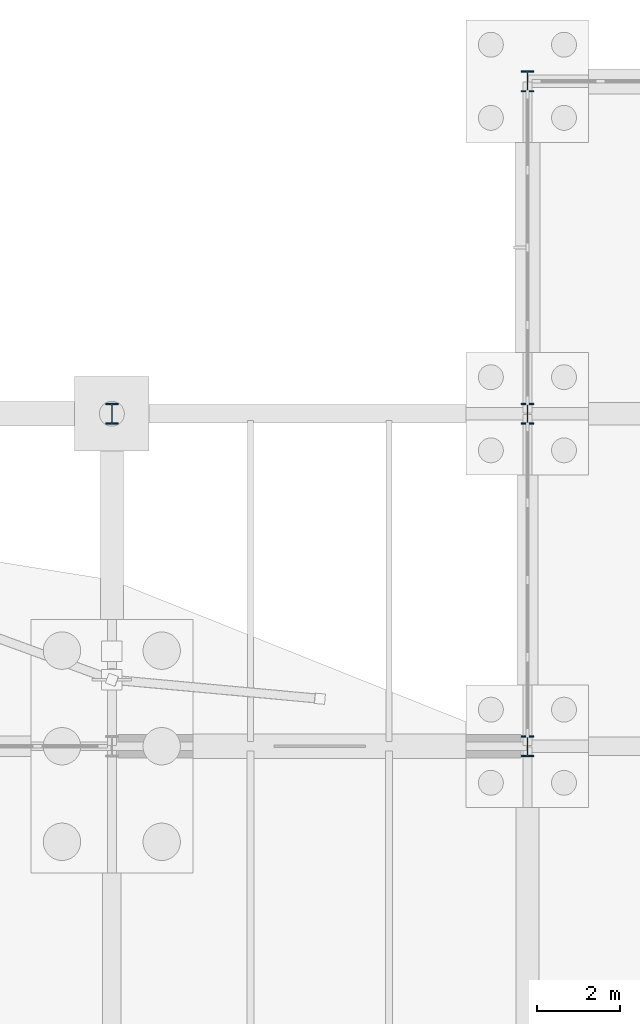
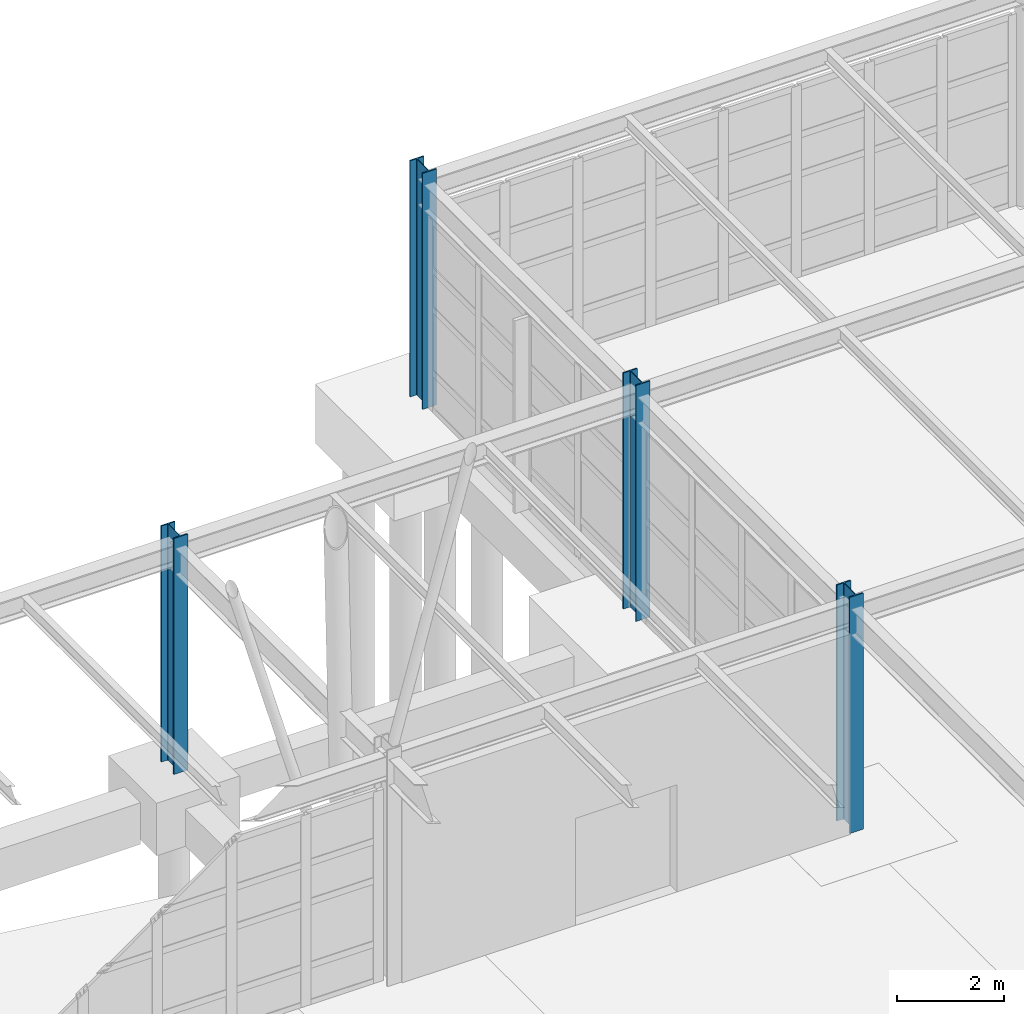
# One storey, part 25 of 145: 4 columns.
"""IFC4 building model written with IfcOpenShell, lengths in metres."""

from ifc_helpers import new_model, si_unit, direction, frame, origin, origin_2d, place, context, subcontext, project, spatial, i_section, extrude, material, material_profile, profile_set, type_object, element, save


model = new_model("IFC4")

# Units and contexts
model_context = context("Model", 3, precision=1e-05, world=origin(), true_north=direction((0.0, 1.0)))
body_context = subcontext(model_context, "Body", "Model", "MODEL_VIEW")
ifc_project = project(units=[si_unit("LENGTHUNIT", "METRE"), si_unit("AREAUNIT", "SQUARE_METRE"), si_unit("VOLUMEUNIT", "CUBIC_METRE"), si_unit("PLANEANGLEUNIT", "RADIAN"), si_unit("MASSUNIT", "GRAM", prefix="KILO"), si_unit("THERMODYNAMICTEMPERATUREUNIT", "KELVIN"), si_unit("POWERUNIT", "WATT")], contexts=[model_context])

# Site, building, storey
site_placement = place(None, origin())
site = spatial("IfcSite", under=ifc_project, at=site_placement, CompositionType="ELEMENT")
building_placement = place(site_placement, origin())
building = spatial("IfcBuilding", under=site, at=building_placement, Name="Korenveer Ferry Terminal", CompositionType="ELEMENT")
storey_placement = place(building_placement, origin())
storey = spatial("IfcBuildingStorey", under=building, at=storey_placement, Name="L00", CompositionType="ELEMENT", Elevation=0.0)

# Columns
ifc_material = material(Name="Steel S355", Category="steel")
ifc_material_profile = material_profile(ifc_material, i_section(OverallWidth=0.300048828125, OverallDepth=0.5, WebThickness=0.014404296875, FlangeThickness=0.028076171875, FilletRadius=0.027099609375, at=origin_2d()), Name="HEB 500")
ifc_profile_set = profile_set([ifc_material_profile], Name="Steel S355")
column_type = type_object("IfcColumnType", Name="STR-COL-HEB500", PredefinedType="COLUMN", material=ifc_profile_set)
for number, where, z_axis, x_axis, name in (
    (1, (113.0, 108.0, 0.0), (0.0, 0.0, 1.0), (1.0, 0.0, 0.0), "Column COL-L00-X113-Y108"),
    (2, (123.0, 100.0, 0.0), (0.0, 0.0, 1.0), (1.0, 0.0, 0.0), "Column COL-L00-X123-Y100"),
    (3, (123.0, 108.0, 0.0), (0.0, 0.0, 1.0), (1.0, 0.0, 0.0), "Column COL-L00-X123-Y108"),
    (4, (123.0, 116.0, 0.0), (0.0, 0.0, 1.0), (1.0, 0.0, 0.0), "Column COL-L00-X123-Y116"),
):
    element("IfcColumn", number, at=place(storey_placement, frame(where, z_axis=z_axis, x_axis=x_axis)), inside=storey, type_object=column_type, Name=name, PredefinedType="COLUMN", context=body_context, shape_type="SweptSolid", body=[
        extrude(i_section(OverallWidth=0.300048828125, OverallDepth=0.5, WebThickness=0.014404296875, FlangeThickness=0.028076171875, FilletRadius=0.027099609375, at=origin_2d()), origin(), (0.0, 0.0, 1.0), 5.39990234375),
    ])

save(model, "model.ifc")
